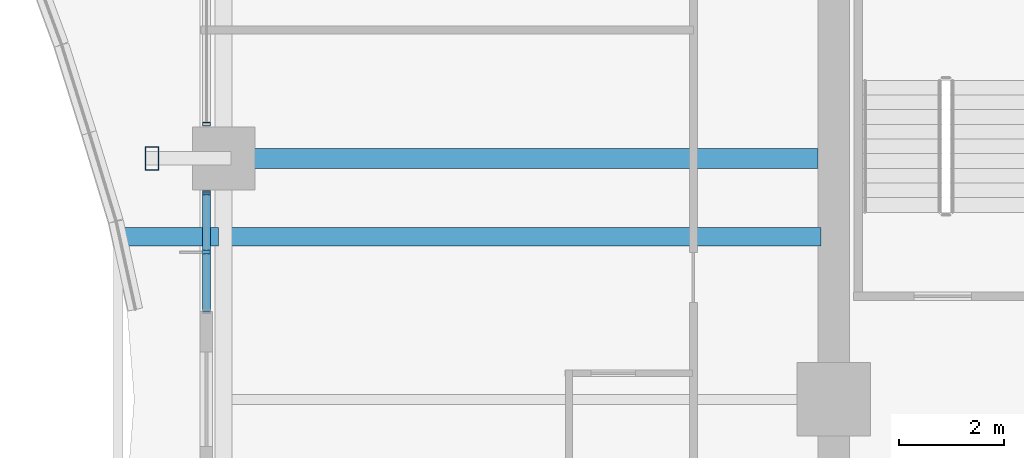
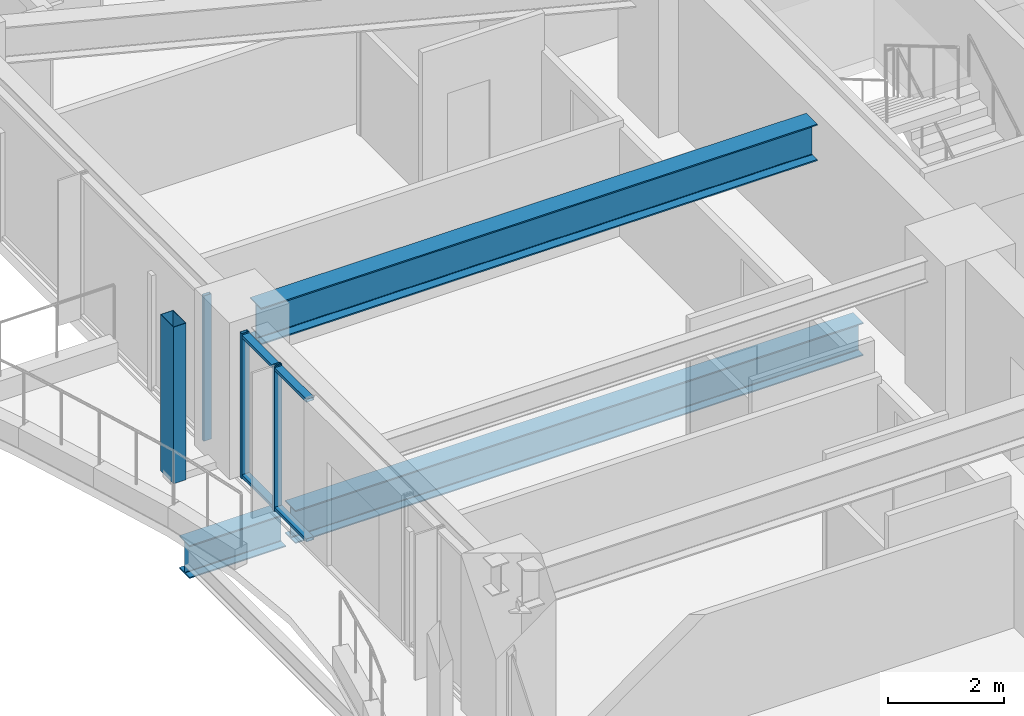
# One storey, part 10 of 36: 6 members, 3 beams, 2 elements without a shape of their own.
"""IFC4 building model written with IfcOpenShell, lengths in metres."""

import ifcopenshell
import ifcopenshell.guid

model = None  # the IFC model being written
_history = None  # IfcOwnerHistory: only IFC2X3 demands one
_inside = {}  # id of a spatial element -> (the spatial element, [elements in it])
_under = {}  # id of a project, library or spatial element -> (it, [spatial elements below it])
_declared = {}  # id of a project -> (the project, [libraries it declares])
_typed = {}  # id of a type object -> (the type object, [elements of that type])
_made_of = {}  # id of a material, layer set ... -> (it, [elements and type objects made of it])


def new_model(schema):
    """Start an empty IFC model of exactly this schema.

    Asked for "IFC4X3", IfcOpenShell would pick the latest addendum, in which some entities
    have other attributes; the version numbers below select the first issue.
    IFC2X3 requires an IfcOwnerHistory on every rooted entity: one is made here for all.
    """
    global model, _history
    if schema == "IFC4X3":
        model = ifcopenshell.file(schema_version=(4, 3, 0, 0))
    else:
        model = ifcopenshell.file(schema=schema)
    _inside.clear()
    _under.clear()
    _declared.clear()
    _typed.clear()
    _made_of.clear()
    _history = None
    if model.schema == "IFC2X3":
        org = make("IfcOrganization", Name="unknown")
        user = make(
            "IfcPersonAndOrganization",
            ThePerson=make("IfcPerson", FamilyName="unknown"),
            TheOrganization=org,
        )
        app = make(
            "IfcApplication",
            ApplicationDeveloper=org,
            Version="unknown",
            ApplicationFullName="unknown",
            ApplicationIdentifier="unknown",
        )
        _history = make(
            "IfcOwnerHistory",
            OwningUser=user,
            OwningApplication=app,
            ChangeAction="ADDED",
            CreationDate=0,
        )
    return model


def make(cls, **values):
    """One entity of the class cls with the attributes given. An attribute that is None is left unset."""
    return model.create_entity(
        cls, **{name: value for name, value in values.items() if value is not None}
    )


def rooted(cls, **values):
    """An entity with a GlobalId (a new one), such as an element, a storey or a relation."""
    return make(cls, GlobalId=ifcopenshell.guid.new(), OwnerHistory=_history, **values)


def si_unit(unit_type, name, prefix=None):
    """IfcSIUnit, for example si_unit("LENGTHUNIT", "METRE", prefix="MILLI")."""
    return make("IfcSIUnit", UnitType=unit_type, Prefix=prefix, Name=name)


def assignment(units):
    """IfcUnitAssignment: the units of a project."""
    return None if units is None else make("IfcUnitAssignment", Units=units)


def point(xyz):
    """IfcCartesianPoint."""
    return None if xyz is None else make("IfcCartesianPoint", Coordinates=xyz)


def direction(xyz):
    """IfcDirection."""
    return None if xyz is None else make("IfcDirection", DirectionRatios=xyz)


def frame(location, z_axis=None, x_axis=None):
    """IfcAxis2Placement3D, a coordinate frame: its origin and axes. An axis left out is left unset."""
    return make(
        "IfcAxis2Placement3D",
        Location=point(location),
        Axis=direction(z_axis),
        RefDirection=direction(x_axis),
    )


def frame_2d(location, x_axis=None):
    """IfcAxis2Placement2D, a coordinate frame in the plane: its origin and x axis."""
    return make(
        "IfcAxis2Placement2D", Location=point(location), RefDirection=direction(x_axis)
    )


def origin():
    """The frame at (0, 0, 0) with its axes left unset."""
    return frame((0.0, 0.0, 0.0))


def origin_2d():
    """The frame at (0, 0) in the plane with its x axis left unset."""
    return frame_2d((0.0, 0.0))


def place(relative_to, where):
    """IfcLocalPlacement: puts the frame where relative to a parent placement (None: the world)."""
    return make(
        "IfcLocalPlacement", PlacementRelTo=relative_to, RelativePlacement=where
    )


def context(
    kind, dimensions, precision=None, world=None, true_north=None, identifier=None
):
    """IfcGeometricRepresentationContext, for example the 3D "Model" context."""
    return make(
        "IfcGeometricRepresentationContext",
        ContextIdentifier=identifier,
        ContextType=kind,
        CoordinateSpaceDimension=dimensions,
        Precision=precision,
        WorldCoordinateSystem=world,
        TrueNorth=true_north,
    )


def subcontext(parent, identifier, kind, view, scale=None):
    """IfcGeometricRepresentationSubContext, for example "Body" below "Model"."""
    return make(
        "IfcGeometricRepresentationSubContext",
        ContextIdentifier=identifier,
        ContextType=kind,
        ParentContext=parent,
        TargetScale=scale,
        TargetView=view,
    )


def project(units=None, contexts=None):
    """IfcProject with its units and contexts."""
    return rooted(
        "IfcProject",
        Name="project",
        RepresentationContexts=contexts,
        UnitsInContext=assignment(units),
    )


def spatial(cls, under=None, at=None, **own):
    """A site, building, storey or space (cls), placed at a placement, below another one or the project."""
    s = rooted(cls, ObjectPlacement=at, **own)
    if under is not None:
        _under.setdefault(under.id(), (under, []))[1].append(s)
    return s


def profile(cls, at=None, kind="AREA", **sizes):
    """A parametric profile (cls). Its sizes go by their IFC names, for example OverallWidth=200.0."""
    return make(cls, ProfileType=kind, Position=at, **sizes)


def hollow_rectangle(**sizes):
    """IfcRectangleHollowProfileDef."""
    return profile("IfcRectangleHollowProfileDef", **sizes)


def i_section(**sizes):
    """IfcIShapeProfileDef."""
    return profile("IfcIShapeProfileDef", **sizes)


def extrude(swept, where, along, depth):
    """IfcExtrudedAreaSolid: the profile swept, set in the frame where, extruded along a direction by depth."""
    return make(
        "IfcExtrudedAreaSolid",
        SweptArea=swept,
        Position=where,
        ExtrudedDirection=direction(along),
        Depth=depth,
    )


def shape(context_of_items, identifier, shape_type, items):
    """IfcShapeRepresentation: the items that make up one representation, for example the "Body"."""
    return make(
        "IfcShapeRepresentation",
        ContextOfItems=context_of_items,
        RepresentationIdentifier=identifier,
        RepresentationType=shape_type,
        Items=items,
    )


def material(Name=None, Category=None):
    """IfcMaterial."""
    return make("IfcMaterial", Name=Name, Category=Category)


def material_profile(
    of_material, cross_section, Name=None, Category=None, Priority=None
):
    """IfcMaterialProfile: a cross section and its material."""
    return make(
        "IfcMaterialProfile",
        Name=Name,
        Material=of_material,
        Profile=cross_section,
        Priority=Priority,
        Category=Category,
    )


def profile_set(profiles, Name=None, composite=None):
    """IfcMaterialProfileSet."""
    return make(
        "IfcMaterialProfileSet",
        Name=Name,
        MaterialProfiles=profiles,
        CompositeProfile=composite,
    )


def made_of(thing, what):
    """Note that an element or type object is made of a material, layer set ...; save() writes the relation."""
    if what is not None:
        _made_of.setdefault(what.id(), (what, []))[1].append(thing)
    return thing


def type_object(cls, material=None, **own):
    """A type object (cls), such as IfcWallType, which elements share."""
    return made_of(rooted(cls, **own), material)


def element(
    cls,
    number,
    at=None,
    inside=None,
    cuts=None,
    type_object=None,
    material=None,
    context=None,
    identifier="Body",
    shape_type=None,
    held_by="IfcProductDefinitionShape",
    body=None,
    shapes=None,
    **own,
):
    """One element of the class cls, such as IfcWall. Its Tag is "e" and its number.

    at: its placement. inside: the storey or other place that contains it. cuts: it is an
    opening in that element (IfcRelVoidsElement). A single representation is given by context,
    identifier, shape_type and body (its items); several are given by shapes. held_by: the class
    of the entity that holds the representations. save() writes the other relations.
    """
    e = rooted(cls, Tag="e%d" % number, ObjectPlacement=at, **own)
    if body is not None:
        shapes = [shape(context, identifier, shape_type, body)]
    if shapes is not None:
        e.Representation = make(held_by, Representations=shapes)
    if inside is not None:
        _inside.setdefault(inside.id(), (inside, []))[1].append(e)
    if cuts is not None:
        rooted(
            "IfcRelVoidsElement", RelatingBuildingElement=cuts, RelatedOpeningElement=e
        )
    if type_object is not None:
        _typed.setdefault(type_object.id(), (type_object, []))[1].append(e)
    return made_of(e, material)


def aggregate(whole, parts):
    """IfcRelAggregates: a whole, such as a stair, and the parts it consists of."""
    return rooted("IfcRelAggregates", RelatingObject=whole, RelatedObjects=parts)


def save(model, path):
    """Write the relations noted so far, then the file.

    IfcRelAggregates (storeys below a building ...), IfcRelContainedInSpatialStructure (elements
    in a storey), IfcRelDefinesByType, IfcRelAssociatesMaterial and IfcRelDeclares: one each for
    every whole, place, type object, material and project.
    """
    for whole, parts in _under.values():
        aggregate(whole, parts)
    for where, things in _inside.values():
        rooted(
            "IfcRelContainedInSpatialStructure",
            RelatedElements=things,
            RelatingStructure=where,
        )
    for kind, things in _typed.values():
        rooted("IfcRelDefinesByType", RelatedObjects=things, RelatingType=kind)
    for what, things in _made_of.values():
        rooted("IfcRelAssociatesMaterial", RelatedObjects=things, RelatingMaterial=what)
    for by, libraries in _declared.values():
        rooted("IfcRelDeclares", RelatingContext=by, RelatedDefinitions=libraries)
    model.write(path)


model = new_model("IFC4")

# Units and contexts
model_context = context("Model", 3, precision=1e-05, world=origin(), true_north=direction((0.0, 1.0)))
body_context = subcontext(model_context, "Body", "Model", "MODEL_VIEW")
ifc_project = project(units=[si_unit("LENGTHUNIT", "METRE"), si_unit("AREAUNIT", "SQUARE_METRE"), si_unit("VOLUMEUNIT", "CUBIC_METRE"), si_unit("PLANEANGLEUNIT", "RADIAN"), si_unit("MASSUNIT", "GRAM", prefix="KILO")], contexts=[model_context])

# Site, building, storey
site_placement = place(None, origin())
site = spatial("IfcSite", under=ifc_project, at=site_placement, CompositionType="ELEMENT")
building_placement = place(site_placement, origin())
building = spatial("IfcBuilding", under=site, at=building_placement, Name="Kolvaren Belvedere", CompositionType="ELEMENT")
storey_placement = place(building_placement, frame((0.0, 0.0, 46.89990234375)))
storey = spatial("IfcBuildingStorey", under=building, at=storey_placement, Name="L13", CompositionType="ELEMENT", Elevation=46.89990234375)

# Beams
ifc_material_1 = material(Name="Structural steel ASTM A992 Grade 50", Category="steel")
ifc_material_profile_1 = material_profile(ifc_material_1, i_section(OverallWidth=0.35498046875, OverallDepth=0.696044921875, WebThickness=0.015380859375, FlangeThickness=0.02490234375, FilletRadius=0.02197265625, at=origin_2d()), Name="W27X146")
ifc_profile_set_1 = profile_set([ifc_material_profile_1], Name="Structural steel ASTM A992 Grade 50")
beam_type_1 = type_object("IfcBeamType", Name="BM-CANT-BAL", PredefinedType="BEAM", material=ifc_profile_set_1)
beam_1_placement = place(storey_placement, frame((-21.64501953125, 3.10009765625, -0.587890625), z_axis=(-1.0, 0.0, 0.0), x_axis=(0.0, -1.0, 0.0)))
element("IfcBeam", 1, at=beam_1_placement, inside=storey, type_object=beam_type_1, Name="L13 Planted Balcony Cantilever BAL-W-2", PredefinedType="BEAM", context=body_context, shape_type="SweptSolid", body=[
    extrude(i_section(OverallWidth=0.35498046875, OverallDepth=0.696044921875, WebThickness=0.015380859375, FlangeThickness=0.02490234375, FilletRadius=0.02197265625, at=origin_2d()), origin(), (0.0, 0.0, 1.0), 1.91943359375),
])
ifc_material_2 = material(Name="Structural steel ASTM A992 Grade 50", Category="steel")
ifc_material_profile_2 = material_profile(ifc_material_2, i_section(OverallWidth=0.35498046875, OverallDepth=0.696044921875, WebThickness=0.015380859375, FlangeThickness=0.02490234375, FilletRadius=0.02197265625, at=origin_2d()), Name="W27X146")
ifc_profile_set_2 = profile_set([ifc_material_profile_2], Name="Structural steel ASTM A992 Grade 50")
beam_type_2 = type_object("IfcBeamType", Name="BM-GIRD-W27X146", PredefinedType="BEAM", material=ifc_profile_set_2)
beam_2_placement = place(storey_placement, frame((-10.139892578125, 3.10009765625, -0.587890625), z_axis=(-1.0, 0.0, 0.0), x_axis=(0.0, -1.0, 0.0)))
element("IfcBeam", 2, at=beam_2_placement, inside=storey, type_object=beam_type_2, Name="L13 Balcony Interior Back-Span Girder BAL-W-2", PredefinedType="BEAM", context=body_context, shape_type="SweptSolid", body=[
    extrude(i_section(OverallWidth=0.35498046875, OverallDepth=0.696044921875, WebThickness=0.015380859375, FlangeThickness=0.02490234375, FilletRadius=0.02197265625, at=origin_2d()), origin(), (0.0, 0.0, 1.0), 11.315185546875),
])
ifc_material_3 = material(Name="Structural steel ASTM A992 Grade 50", Category="steel")
ifc_material_profile_3 = material_profile(ifc_material_3, i_section(OverallWidth=0.381103515625, OverallDepth=0.77294921875, WebThickness=0.0166015625, FlangeThickness=0.027099609375, FilletRadius=0.02392578125, at=origin_2d()), Name="W30X173")
ifc_profile_set_3 = profile_set([ifc_material_profile_3], Name="Structural steel ASTM A992 Grade 50")
beam_type_3 = type_object("IfcBeamType", Name="BM-GIRD-W30X173", PredefinedType="BEAM", material=ifc_profile_set_3)
beam_3_placement = place(storey_placement, frame((-10.199951171875, 4.60009765625, 2.673583984375), z_axis=(-1.0, 0.0, 0.0), x_axis=(0.0, -1.0, 0.0)))
element("IfcBeam", 3, at=beam_3_placement, inside=storey, type_object=beam_type_3, Name="L13 West Radial Girder P", PredefinedType="BEAM", context=body_context, shape_type="SweptSolid", body=[
    extrude(i_section(OverallWidth=0.381103515625, OverallDepth=0.77294921875, WebThickness=0.0166015625, FlangeThickness=0.027099609375, FilletRadius=0.02392578125, at=origin_2d()), origin(), (0.0, 0.0, 1.0), 11.080078125),
])

# Curtain wall, members
ifc_material_4 = material(Name="Anodised pale-metal aluminium AA 6063-T6", Category="aluminium")
curtain_wall_type = type_object("IfcCurtainWallType", Name="CW-Z1-LOW", PredefinedType="NOTDEFINED", material=ifc_material_4)
curtain_wall_1_placement = place(storey_placement, origin())
curtain_wall_1 = element("IfcCurtainWall", 4, at=curtain_wall_1_placement, inside=storey, type_object=curtain_wall_type, Name="L13 Unitised Curtain Wall FCW-L13-W2-B1", PredefinedType="NOTDEFINED")
ifc_material_5 = material(Name="Anodised pale-metal aluminium AA 6063-T6", Category="aluminium")
ifc_material_profile_4 = material_profile(ifc_material_5, hollow_rectangle(XDim=0.070068359375, YDim=0.14990234375, WallThickness=0.004150390625, at=origin_2d()), Name="ALU-MUL-150X70")
ifc_profile_set_4 = profile_set([ifc_material_profile_4], Name="Anodised pale-metal aluminium AA 6063-T6")
member_type_1 = type_object("IfcMemberType", Name="CW-MUL-150", PredefinedType="MULLION", material=ifc_profile_set_4)
member_1_placement = place(storey_placement, frame((-21.8798828125, 2.8125, 0.0), z_axis=(0.0, 0.0, 1.0), x_axis=(0.0, 1.0, 0.0)))
member_1 = element("IfcMember", 5, at=member_1_placement, type_object=member_type_1, Name="FCW-L13-W2-B1 Unitised Mullion 2", PredefinedType="MULLION", context=body_context, shape_type="SweptSolid", body=[
    extrude(hollow_rectangle(XDim=0.070068359375, YDim=0.14990234375, WallThickness=0.004150390625, at=origin_2d()), origin(), (0.0, 0.0, 1.0), 3.06005859375),
])
member_2_placement = place(storey_placement, frame((-21.8798828125, 3.945068359375, 0.0), z_axis=(0.0, 0.0, 1.0), x_axis=(0.0, 1.0, 0.0)))
member_2 = element("IfcMember", 6, at=member_2_placement, type_object=member_type_1, Name="FCW-L13-W2-B1 Unitised Mullion 3", PredefinedType="MULLION", context=body_context, shape_type="SweptSolid", body=[
    extrude(hollow_rectangle(XDim=0.070068359375, YDim=0.14990234375, WallThickness=0.004150390625, at=origin_2d()), origin(), (0.0, 0.0, 1.0), 3.06005859375),
])

# Curtain wall, member
curtain_wall_2_placement = place(storey_placement, origin())
curtain_wall_2 = element("IfcCurtainWall", 7, at=curtain_wall_2_placement, inside=storey, type_object=curtain_wall_type, Name="L13 Unitised Curtain Wall FCW-L13-W2-B2", PredefinedType="NOTDEFINED")
member_3_placement = place(storey_placement, frame((-21.8798828125, 5.2548828125, 0.0), z_axis=(0.0, 0.0, 1.0), x_axis=(0.0, 1.0, 0.0)))
member_3 = element("IfcMember", 8, at=member_3_placement, type_object=member_type_1, Name="FCW-L13-W2-B2 Unitised Mullion 1", PredefinedType="MULLION", context=body_context, shape_type="SweptSolid", body=[
    extrude(hollow_rectangle(XDim=0.070068359375, YDim=0.14990234375, WallThickness=0.004150390625, at=origin_2d()), origin(), (0.0, 0.0, 1.0), 3.06005859375),
])
aggregate(curtain_wall_2, [member_3])

# Member
ifc_material_6 = material(Name="Anodised pale-metal aluminium AA 6063-T6", Category="aluminium")
ifc_material_profile_5 = material_profile(ifc_material_6, hollow_rectangle(XDim=0.06494140625, YDim=0.14990234375, WallThickness=0.00390625, at=origin_2d()), Name="ALU-TRN-150X65")
ifc_profile_set_5 = profile_set([ifc_material_profile_5], Name="Anodised pale-metal aluminium AA 6063-T6")
member_type_2 = type_object("IfcMemberType", Name="CW-TRN-150", PredefinedType="USERDEFINED", material=ifc_profile_set_5)
member_4_placement = place(storey_placement, frame((-21.8798828125, 1.679931640625, 0.06005859375), z_axis=(0.0, 1.0, 0.0), x_axis=(0.0, 0.0, 1.0)))
member_4 = element("IfcMember", 9, at=member_4_placement, type_object=member_type_2, Name="FCW-L13-W2-B1 Sill Transom", ObjectType="TRANSOM", PredefinedType="USERDEFINED", context=body_context, shape_type="SweptSolid", body=[
    extrude(hollow_rectangle(XDim=0.06494140625, YDim=0.14990234375, WallThickness=0.00390625, at=origin_2d()), origin(), (0.0, 0.0, 1.0), 2.26513671875),
])

member_5_placement = place(storey_placement, frame((-21.8798828125, 1.679931640625, 3.0), z_axis=(0.0, 1.0, 0.0), x_axis=(0.0, 0.0, 1.0)))
member_5 = element("IfcMember", 10, at=member_5_placement, type_object=member_type_2, Name="FCW-L13-W2-B1 Head Transom", ObjectType="TRANSOM", PredefinedType="USERDEFINED", context=body_context, shape_type="SweptSolid", body=[
    extrude(hollow_rectangle(XDim=0.06494140625, YDim=0.14990234375, WallThickness=0.00390625, at=origin_2d()), origin(), (0.0, 0.0, 1.0), 2.26513671875),
])

aggregate(curtain_wall_1, [member_1, member_2, member_4, member_5])

ifc_material_7 = material(Name="Anodised pale-metal aluminium AA 6063-T6", Category="aluminium")
ifc_material_profile_6 = material_profile(ifc_material_7, hollow_rectangle(XDim=0.25, YDim=0.449951171875, WallThickness=0.008544921875, at=origin_2d()), Name="ALU-PF-450X250")
ifc_profile_set_6 = profile_set([ifc_material_profile_6], Name="Anodised pale-metal aluminium AA 6063-T6")
member_type_3 = type_object("IfcMemberType", Name="PF-FRAME-450", PredefinedType="USERDEFINED", material=ifc_profile_set_6)
member_6_placement = place(storey_placement, frame((-22.919921875, 4.60009765625, 0.0), z_axis=(0.0, 0.0, 1.0), x_axis=(1.0, 0.0, 0.0)))
element("IfcMember", 11, at=member_6_placement, inside=storey, type_object=member_type_3, Name="L13 Outboard Picture-Frame Vertical W2", ObjectType="PICTURE FRAME FIN", PredefinedType="USERDEFINED", context=body_context, shape_type="SweptSolid", body=[
    extrude(hollow_rectangle(XDim=0.25, YDim=0.449951171875, WallThickness=0.008544921875, at=origin_2d()), origin(), (0.0, 0.0, 1.0), 3.300048828125),
])

save(model, "model.ifc")
